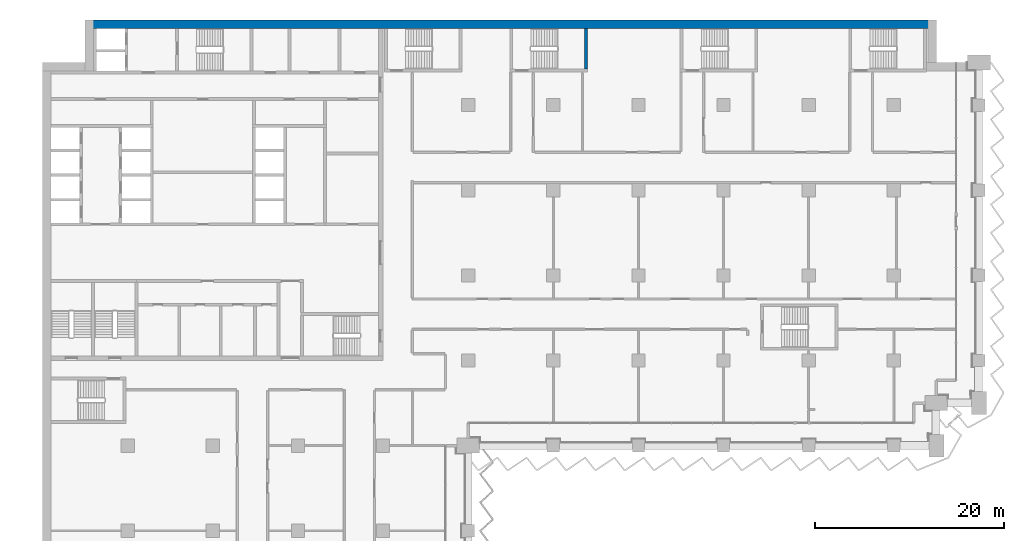
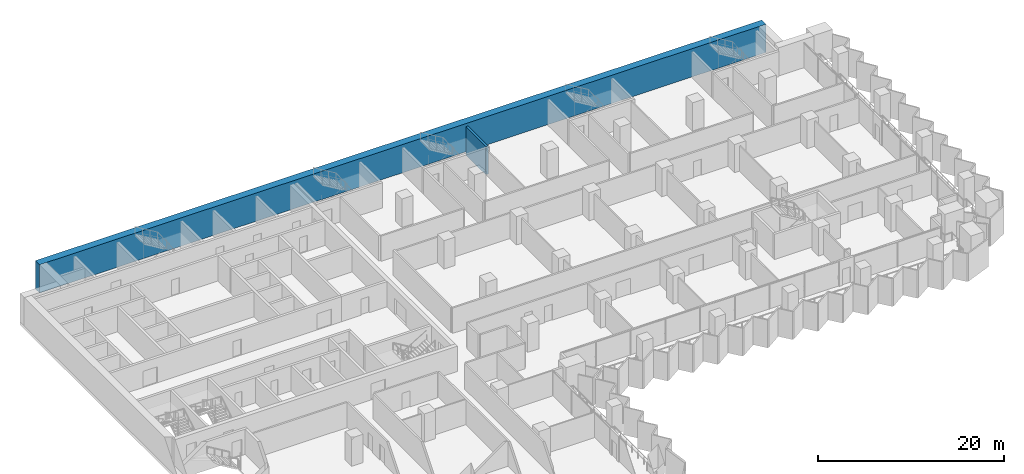
# One storey, part 17 of 28: 2 walls.
"""IFC4 building model written with IfcOpenShell, lengths in metres."""

from ifc_helpers import new_model, si_unit, direction, frame, frame_2d, origin, place, context, subcontext, project, spatial, rectangle, extrude, material, layer, layer_set, type_object, element, save


model = new_model("IFC4")

# Units and contexts
model_context = context("Model", 3, precision=1e-05, world=origin(), true_north=direction((0.0, 1.0)))
body_context = subcontext(model_context, "Body", "Model", "MODEL_VIEW")
ifc_project = project(units=[si_unit("LENGTHUNIT", "METRE"), si_unit("AREAUNIT", "SQUARE_METRE"), si_unit("VOLUMEUNIT", "CUBIC_METRE"), si_unit("PLANEANGLEUNIT", "RADIAN"), si_unit("MASSUNIT", "GRAM", prefix="KILO")], contexts=[model_context])

# Site, building, storey
site_placement = place(None, origin())
site = spatial("IfcSite", under=ifc_project, at=site_placement, CompositionType="ELEMENT")
building_placement = place(site_placement, origin())
building = spatial("IfcBuilding", under=site, at=building_placement, Name="Hunhe Ridgeline Campus", CompositionType="ELEMENT")
storey_placement = place(building_placement, frame((0.0, 0.0, 61.699951171875)))
storey = spatial("IfcBuildingStorey", under=building, at=storey_placement, Name="L14", CompositionType="ELEMENT", Elevation=61.699951171875)

# Walls
ifc_material = material(Name="Concrete C80", Category="concrete")
ifc_layer_1 = layer(ifc_material, 0.89990234375)
ifc_layer_set_1 = layer_set([ifc_layer_1], Name="Spine wall 900 Concrete C80")
wall_type_1 = type_object("IfcWallType", Name="Spine wall 900 Concrete C80", PredefinedType="SHEAR", material=ifc_layer_set_1)
wall_1_placement = place(storey_placement, frame((94.5, 98.550048828125, 0.0), z_axis=(0.0, 0.0, 1.0), x_axis=(-1.0, 0.0, 0.0)))
element("IfcWall", 1, at=wall_1_placement, inside=storey, type_object=wall_type_1, Name="Spine wall SW1-4 L14", PredefinedType="SHEAR", context=body_context, shape_type="SweptSolid", body=[
    extrude(rectangle(XDim=90.0, YDim=0.89990234375, at=frame_2d((45.0, 0.0))), origin(), (0.0, 0.0, 1.0), 3.699951171875),
])
ifc_layer_2 = layer(ifc_material, 0.300048828125)
ifc_layer_set_2 = layer_set([ifc_layer_2], Name="Stair wall 300 reinforced concrete C80")
wall_type_2 = type_object("IfcWallType", Name="Stair wall 300 reinforced concrete C80", PredefinedType="SOLIDWALL", material=ifc_layer_set_2)
wall_2_placement = place(storey_placement, frame((57.449951171875, 93.800048828125, -0.39990234375), z_axis=(0.0, 0.0, 1.0), x_axis=(0.0, 1.0, 0.0)))
element("IfcWall", 2, at=wall_2_placement, inside=storey, type_object=wall_type_2, Name="L14 core wall 67", PredefinedType="SOLIDWALL", context=body_context, shape_type="SweptSolid", body=[
    extrude(rectangle(XDim=4.300048828125, YDim=0.300048828125, at=frame_2d((2.14990234375, 0.0))), origin(), (0.0, 0.0, 1.0), 3.699951171875),
])

save(model, "model.ifc")
